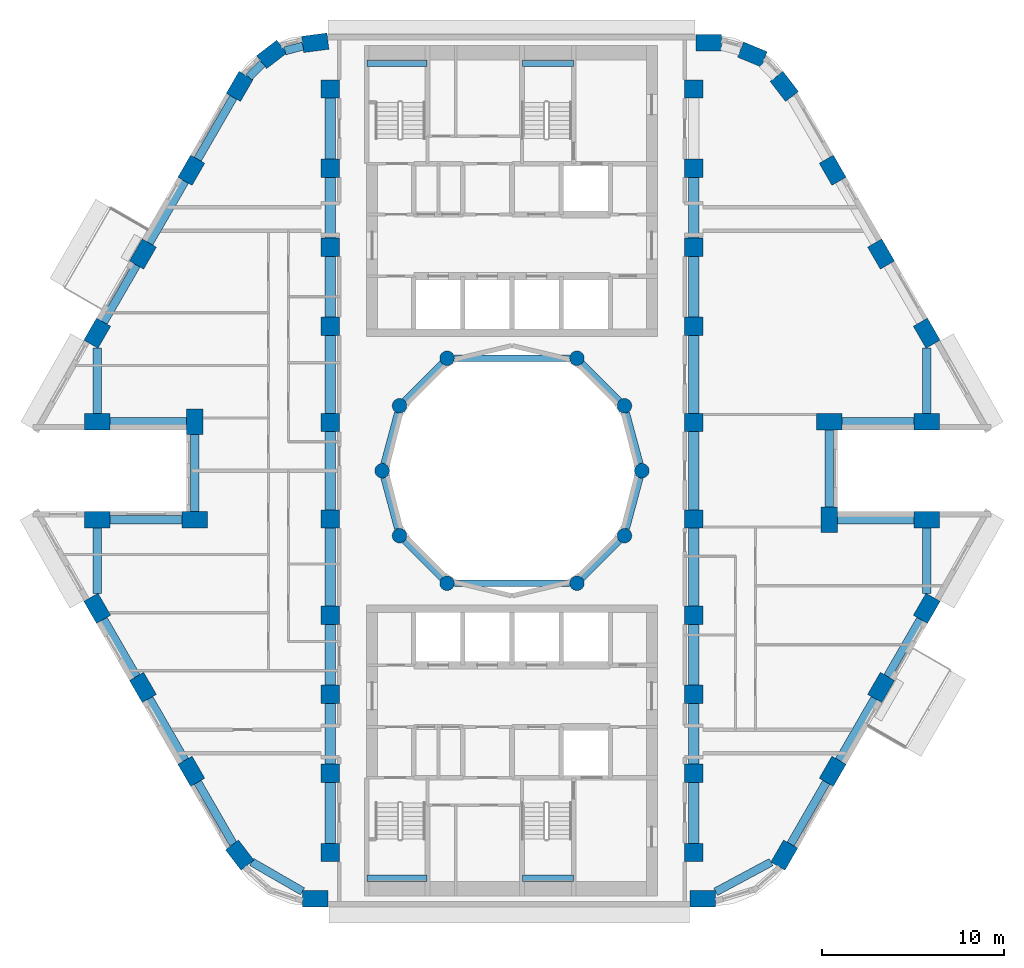
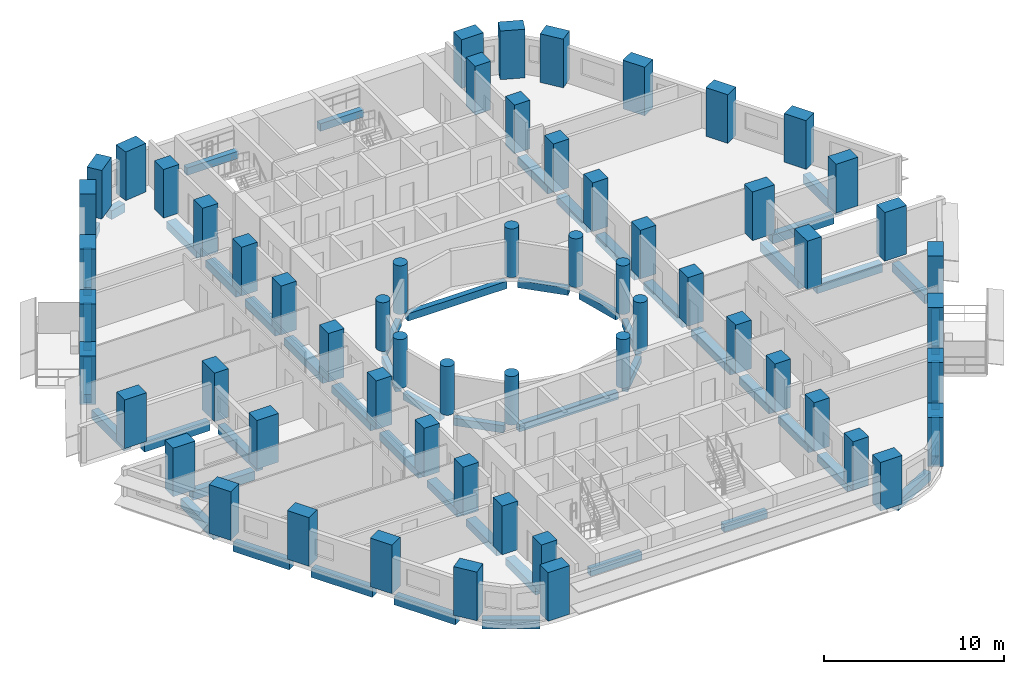
# One storey, part 1 of 14: 60 columns, 54 beams.
"""IFC4 building model written with IfcOpenShell, lengths in metres."""

from ifc_helpers import new_model, si_unit, direction, frame, origin, origin_2d, place, context, subcontext, project, spatial, rectangle, circle, extrude, material, material_profile, profile_set, type_object, element, save


model = new_model("IFC4")

# Units and contexts
model_context = context("Model", 3, precision=1e-05, world=origin(), true_north=direction((0.0, 1.0)))
body_context = subcontext(model_context, "Body", "Model", "MODEL_VIEW")
ifc_project = project(units=[si_unit("LENGTHUNIT", "METRE"), si_unit("AREAUNIT", "SQUARE_METRE"), si_unit("VOLUMEUNIT", "CUBIC_METRE"), si_unit("PLANEANGLEUNIT", "RADIAN"), si_unit("MASSUNIT", "GRAM", prefix="KILO")], contexts=[model_context])

# Site, building, storey
site_placement = place(None, origin())
site = spatial("IfcSite", under=ifc_project, at=site_placement, CompositionType="ELEMENT")
building_placement = place(site_placement, origin())
building = spatial("IfcBuilding", under=site, at=building_placement, Name="Nakaniwa Court", CompositionType="ELEMENT")
storey_placement = place(building_placement, frame((0.0, 0.0, 107.39990234375)))
storey = spatial("IfcBuildingStorey", under=building, at=storey_placement, Name="L28", CompositionType="ELEMENT", Elevation=107.39990234375)

# Columns
ifc_material = material(Name="Concrete C80/100", Category="concrete")
ifc_material_profile_1 = material_profile(ifc_material, rectangle(XDim=1.0, YDim=1.0, at=origin_2d()), Name="Concrete C80/100 RC 1000x1000 spine column")
ifc_profile_set_1 = profile_set([ifc_material_profile_1], Name="Concrete C80/100")
column_type_1 = type_object("IfcColumnType", Name="Concrete C80/100 RC 1000x1000 spine column", PredefinedType="COLUMN", material=ifc_profile_set_1)
for number, where, z_axis, x_axis, name in (
    (1, (90.0, 59.0, 0.0), (0.0, 0.0, 1.0), (0.0, 1.0, 0.0), "COLUMN CS-01"),
    (2, (90.0, 63.35009765625, 0.0), (0.0, 0.0, 1.0), (0.0, 1.0, 0.0), "COLUMN CS-02"),
    (3, (90.0, 67.699951171875, 0.0), (0.0, 0.0, 1.0), (0.0, 1.0, 0.0), "COLUMN CS-03"),
    (4, (90.0, 72.050048828125, 0.0), (0.0, 0.0, 1.0), (0.0, 1.0, 0.0), "COLUMN CS-04"),
    (5, (90.0, 77.35009765625, 0.0), (0.0, 0.0, 1.0), (0.0, 1.0, 0.0), "COLUMN CS-05"),
    (6, (90.0, 82.64990234375, 0.0), (0.0, 0.0, 1.0), (0.0, 1.0, 0.0), "COLUMN CS-06"),
    (7, (90.0, 87.949951171875, 0.0), (0.0, 0.0, 1.0), (0.0, 1.0, 0.0), "COLUMN CS-07"),
    (8, (90.0, 92.300048828125, 0.0), (0.0, 0.0, 1.0), (0.0, 1.0, 0.0), "COLUMN CS-08"),
    (9, (90.0, 96.64990234375, 0.0), (0.0, 0.0, 1.0), (0.0, 1.0, 0.0), "COLUMN CS-09"),
    (10, (90.0, 101.0, 0.0), (0.0, 0.0, 1.0), (0.0, 1.0, 0.0), "COLUMN CS-10"),
    (11, (70.0, 101.0, 0.0), (0.0, 0.0, 1.0), (0.0, -1.0, 0.0), "COLUMN CS-11"),
    (12, (70.0, 96.64990234375, 0.0), (0.0, 0.0, 1.0), (0.0, -1.0, 0.0), "COLUMN CS-12"),
    (13, (70.0, 92.300048828125, 0.0), (0.0, 0.0, 1.0), (0.0, -1.0, 0.0), "COLUMN CS-13"),
    (14, (70.0, 87.949951171875, 0.0), (0.0, 0.0, 1.0), (0.0, -1.0, 0.0), "COLUMN CS-14"),
    (15, (70.0, 82.64990234375, 0.0), (0.0, 0.0, 1.0), (0.0, -1.0, 0.0), "COLUMN CS-15"),
    (16, (70.0, 77.35009765625, 0.0), (0.0, 0.0, 1.0), (0.0, -1.0, 0.0), "COLUMN CS-16"),
    (17, (70.0, 72.050048828125, 0.0), (0.0, 0.0, 1.0), (0.0, -1.0, 0.0), "COLUMN CS-17"),
    (18, (70.0, 67.699951171875, 0.0), (0.0, 0.0, 1.0), (0.0, -1.0, 0.0), "COLUMN CS-18"),
    (19, (70.0, 63.35009765625, 0.0), (0.0, 0.0, 1.0), (0.0, -1.0, 0.0), "COLUMN CS-19"),
    (20, (70.0, 59.0, 0.0), (0.0, 0.0, 1.0), (0.0, -1.0, 0.0), "COLUMN CS-20"),
):
    element("IfcColumn", number, at=place(storey_placement, frame(where, z_axis=z_axis, x_axis=x_axis)), inside=storey, type_object=column_type_1, Name=name, PredefinedType="COLUMN", context=body_context, shape_type="SweptSolid", body=[
        extrude(rectangle(XDim=1.0, YDim=1.0, at=origin_2d()), origin(), (0.0, 0.0, 1.0), 3.300048828125),
    ])
ifc_material_profile_2 = material_profile(ifc_material, rectangle(XDim=1.39990234375, YDim=0.89990234375, at=origin_2d()), Name="Concrete C80/100 RC 1400x900 perimeter column")
ifc_profile_set_2 = profile_set([ifc_material_profile_2], Name="Concrete C80/100")
column_type_2 = type_object("IfcColumnType", Name="Concrete C80/100 RC 1400x900 perimeter column", PredefinedType="COLUMN", material=ifc_profile_set_2)
for number, where, z_axis, x_axis, name in (
    (21, (69.17529296875, 103.550048828125, 0.0), (0.0, 0.0, 1.0), (-0.991442583111, -0.130543496177, 0.0), "COLUMN CO-01"),
    (22, (66.772705078125, 102.91015625, 0.0), (0.0, 0.0, 1.0), (-0.793363965062, -0.608747582288, 0.0), "COLUMN CO-02"),
    (23, (65.017578125, 101.1494140625, 0.0), (0.0, 0.0, 1.0), (-0.5, -0.866025403784, 0.0), "COLUMN CO-03"),
    (24, (62.3544921875, 96.537109375, 0.0), (0.0, 0.0, 1.0), (-0.5, -0.866025403784, 0.0), "COLUMN CO-04"),
    (25, (59.691650390625, 91.9248046875, 0.0), (0.0, 0.0, 1.0), (-0.5, -0.866025403784, 0.0), "COLUMN CO-05"),
    (26, (57.177001953125, 87.569580078125, 0.0), (0.0, 0.0, 1.0), (-0.5, -0.866025403784, 0.0), "COLUMN CO-06"),
    (27, (57.177001953125, 82.699951171875, 0.0), (0.0, 0.0, 1.0), (1.0, 0.0, 0.0), "COLUMN CO-08"),
    (28, (62.54150390625, 82.699951171875, 0.0), (0.0, 0.0, 1.0), (0.0, -1.0, 0.0), "COLUMN CO-09"),
    (29, (62.54150390625, 77.300048828125, 0.0), (0.0, 0.0, 1.0), (-1.0, 0.0, 0.0), "COLUMN CO-10"),
    (30, (57.177001953125, 77.300048828125, 0.0), (0.0, 0.0, 1.0), (-1.0, 0.0, 0.0), "COLUMN CO-11"),
    (31, (57.177001953125, 72.430419921875, 0.0), (0.0, 0.0, 1.0), (0.5, -0.866025403784, 0.0), "COLUMN CO-13"),
    (32, (59.691650390625, 68.0751953125, 0.0), (0.0, 0.0, 1.0), (0.5, -0.866025403784, 0.0), "COLUMN CO-14"),
    (33, (62.3544921875, 63.462890625, 0.0), (0.0, 0.0, 1.0), (0.5, -0.866025403784, 0.0), "COLUMN CO-15"),
    (34, (65.017578125, 58.8505859375, 0.0), (0.0, 0.0, 1.0), (0.608761429009, -0.793353340291, 0.0), "COLUMN CO-16"),
    (35, (69.17529296875, 56.449951171875, 0.0), (0.0, 0.0, 1.0), (1.0, 0.0, 0.0), "COLUMN CO-17"),
    (36, (90.507080078125, 56.449951171875, 0.0), (0.0, 0.0, 1.0), (1.0, 0.0, 0.0), "COLUMN CO-21"),
    (37, (94.982421875, 58.8505859375, 0.0), (0.0, 0.0, 1.0), (0.5, 0.866025403784, 0.0), "COLUMN CO-22"),
    (38, (97.6455078125, 63.462890625, 0.0), (0.0, 0.0, 1.0), (0.5, 0.866025403784, 0.0), "COLUMN CO-23"),
    (39, (100.308349609375, 68.0751953125, 0.0), (0.0, 0.0, 1.0), (0.5, 0.866025403784, 0.0), "COLUMN CO-24"),
    (40, (102.822998046875, 72.430419921875, 0.0), (0.0, 0.0, 1.0), (0.5, 0.866025403784, 0.0), "COLUMN CO-25"),
    (41, (102.822998046875, 77.300048828125, 0.0), (0.0, 0.0, 1.0), (-1.0, 0.0, 0.0), "COLUMN CO-27"),
    (42, (97.45849609375, 77.300048828125, 0.0), (0.0, 0.0, 1.0), (0.0, 1.0, 0.0), "COLUMN CO-28"),
    (43, (97.45849609375, 82.699951171875, 0.0), (0.0, 0.0, 1.0), (1.0, 0.0, 0.0), "COLUMN CO-29"),
    (44, (102.822998046875, 82.699951171875, 0.0), (0.0, 0.0, 1.0), (1.0, 0.0, 0.0), "COLUMN CO-30"),
    (45, (102.822998046875, 87.569580078125, 0.0), (0.0, 0.0, 1.0), (-0.5, 0.866025403784, 0.0), "COLUMN CO-32"),
    (46, (100.308349609375, 91.9248046875, 0.0), (0.0, 0.0, 1.0), (-0.5, 0.866025403784, 0.0), "COLUMN CO-33"),
    (47, (97.6455078125, 96.537109375, 0.0), (0.0, 0.0, 1.0), (-0.5, 0.866025403784, 0.0), "COLUMN CO-34"),
    (48, (94.982421875, 101.1494140625, 0.0), (0.0, 0.0, 1.0), (-0.608761429009, 0.793353340291, 0.0), "COLUMN CO-35"),
    (49, (93.227294921875, 102.91015625, 0.0), (0.0, 0.0, 1.0), (-0.923879532511, 0.382683432365, 0.0), "COLUMN CO-36"),
    (50, (90.82470703125, 103.550048828125, 0.0), (0.0, 0.0, 1.0), (-1.0, 0.0, 0.0), "COLUMN CO-37"),
):
    element("IfcColumn", number, at=place(storey_placement, frame(where, z_axis=z_axis, x_axis=x_axis)), inside=storey, type_object=column_type_2, Name=name, PredefinedType="COLUMN", context=body_context, shape_type="SweptSolid", body=[
        extrude(rectangle(XDim=1.39990234375, YDim=0.89990234375, at=origin_2d()), origin(), (0.0, 0.0, 1.0), 3.300048828125),
    ])
ifc_material_profile_3 = material_profile(ifc_material, circle(Radius=0.39990234375, at=origin_2d()), Name="Concrete C80/100 RC D800 inner ring column")
ifc_profile_set_3 = profile_set([ifc_material_profile_3], Name="Concrete C80/100")
column_type_3 = type_object("IfcColumnType", Name="Concrete C80/100 RC D800 inner ring column", PredefinedType="COLUMN", material=ifc_profile_set_3)
for number, where, z_axis, x_axis, name in (
    (51, (87.14990234375, 80.0, 0.0), (0.0, 0.0, 1.0), (0.0, 1.0, 0.0), "COLUMN CI-01"),
    (52, (86.192138671875, 83.574951171875, 0.0), (0.0, 0.0, 1.0), (-0.5, 0.866025403784, 0.0), "COLUMN CI-02"),
    (53, (83.574951171875, 86.192138671875, 0.0), (0.0, 0.0, 1.0), (-0.866025403784, 0.5, 0.0), "COLUMN CI-03"),
    (54, (76.425048828125, 86.192138671875, 0.0), (0.0, 0.0, 1.0), (-0.866025403784, -0.5, 0.0), "COLUMN CI-05"),
    (55, (73.807861328125, 83.574951171875, 0.0), (0.0, 0.0, 1.0), (-0.5, -0.866025403784, 0.0), "COLUMN CI-06"),
    (56, (72.85009765625, 80.0, 0.0), (0.0, 0.0, 1.0), (0.0, -1.0, 0.0), "COLUMN CI-07"),
    (57, (73.807861328125, 76.425048828125, 0.0), (0.0, 0.0, 1.0), (0.5, -0.866025403784, 0.0), "COLUMN CI-08"),
    (58, (76.425048828125, 73.807861328125, 0.0), (0.0, 0.0, 1.0), (0.866025403784, -0.5, 0.0), "COLUMN CI-09"),
    (59, (83.574951171875, 73.807861328125, 0.0), (0.0, 0.0, 1.0), (0.866025403784, 0.5, 0.0), "COLUMN CI-11"),
    (60, (86.192138671875, 76.425048828125, 0.0), (0.0, 0.0, 1.0), (0.5, 0.866025403784, 0.0), "COLUMN CI-12"),
):
    element("IfcColumn", number, at=place(storey_placement, frame(where, z_axis=z_axis, x_axis=x_axis)), inside=storey, type_object=column_type_3, Name=name, PredefinedType="COLUMN", context=body_context, shape_type="SweptSolid", body=[
        extrude(circle(Radius=0.39990234375, at=origin_2d()), origin(), (0.0, 0.0, 1.0), 3.300048828125),
    ])

# Beams
ifc_material_profile_4 = material_profile(ifc_material, rectangle(XDim=0.35009765625, YDim=0.5, at=origin_2d()), Name="Concrete C80/100 RC 350x500 landing ledge beam")
ifc_profile_set_4 = profile_set([ifc_material_profile_4], Name="Concrete C80/100")
beam_type_1 = type_object("IfcBeamType", Name="Concrete C80/100 RC 350x500 landing ledge beam", PredefinedType="BEAM", material=ifc_profile_set_4)
beam_1_placement = place(storey_placement, frame((72.02490234375, 102.425048828125, 1.2001953125), z_axis=(1.0, 0.0, 0.0), x_axis=(0.0, 1.0, 0.0)))
element("IfcBeam", 61, at=beam_1_placement, inside=storey, type_object=beam_type_1, Name="LANDING LEDGE BEAM", PredefinedType="BEAM", context=body_context, shape_type="SweptSolid", body=[
    extrude(rectangle(XDim=0.35009765625, YDim=0.5, at=origin_2d()), origin(), (0.0, 0.0, 1.0), 3.300048828125),
])
beam_2_placement = place(storey_placement, frame((80.574951171875, 102.425048828125, 1.2001953125), z_axis=(1.0, 0.0, 0.0), x_axis=(0.0, 1.0, 0.0)))
element("IfcBeam", 62, at=beam_2_placement, inside=storey, type_object=beam_type_1, Name="LANDING LEDGE BEAM", PredefinedType="BEAM", context=body_context, shape_type="SweptSolid", body=[
    extrude(rectangle(XDim=0.35009765625, YDim=0.5, at=origin_2d()), origin(), (0.0, 0.0, 1.0), 2.800048828125),
])
beam_3_placement = place(storey_placement, frame((72.02490234375, 57.574951171875, 1.2001953125), z_axis=(1.0, 0.0, 0.0), x_axis=(0.0, 1.0, 0.0)))
element("IfcBeam", 63, at=beam_3_placement, inside=storey, type_object=beam_type_1, Name="LANDING LEDGE BEAM", PredefinedType="BEAM", context=body_context, shape_type="SweptSolid", body=[
    extrude(rectangle(XDim=0.35009765625, YDim=0.5, at=origin_2d()), origin(), (0.0, 0.0, 1.0), 3.300048828125),
])
beam_4_placement = place(storey_placement, frame((80.574951171875, 57.574951171875, 1.2001953125), z_axis=(1.0, 0.0, 0.0), x_axis=(0.0, 1.0, 0.0)))
element("IfcBeam", 64, at=beam_4_placement, inside=storey, type_object=beam_type_1, Name="LANDING LEDGE BEAM", PredefinedType="BEAM", context=body_context, shape_type="SweptSolid", body=[
    extrude(rectangle(XDim=0.35009765625, YDim=0.5, at=origin_2d()), origin(), (0.0, 0.0, 1.0), 2.800048828125),
])
ifc_material_profile_5 = material_profile(ifc_material, rectangle(XDim=0.35009765625, YDim=0.5, at=origin_2d()), Name="Concrete C80/100 RC 350x500 ring beam")
ifc_profile_set_5 = profile_set([ifc_material_profile_5], Name="Concrete C80/100")
beam_type_2 = type_object("IfcBeamType", Name="Concrete C80/100 RC 350x500 ring beam", PredefinedType="BEAM", material=ifc_profile_set_5)
beam_5_placement = place(storey_placement, frame((87.04638671875, 80.386474609375, -0.52490234375), z_axis=(-0.258778150207, 0.965936783115, 0.0), x_axis=(-0.965936783115, -0.258778150207, 0.0)))
element("IfcBeam", 65, at=beam_5_placement, inside=storey, type_object=beam_type_2, Name="RING BEAM", PredefinedType="BEAM", context=body_context, shape_type="SweptSolid", body=[
    extrude(rectangle(XDim=0.35009765625, YDim=0.5, at=origin_2d()), origin(), (0.0, 0.0, 1.0), 2.901123046875),
])
beam_6_placement = place(storey_placement, frame((85.9091796875, 83.85791015625, -0.52490234375), z_axis=(-0.707106781187, 0.707106781187, 0.0), x_axis=(-0.707106781187, -0.707106781187, 0.0)))
element("IfcBeam", 66, at=beam_6_placement, inside=storey, type_object=beam_type_2, Name="RING BEAM", PredefinedType="BEAM", context=body_context, shape_type="SweptSolid", body=[
    extrude(rectangle(XDim=0.35009765625, YDim=0.5, at=origin_2d()), origin(), (0.0, 0.0, 1.0), 2.90087890625),
])
beam_7_placement = place(storey_placement, frame((83.175048828125, 86.192138671875, -0.52490234375), z_axis=(-1.0, 0.0, 0.0), x_axis=(0.0, -1.0, 0.0)))
element("IfcBeam", 67, at=beam_7_placement, inside=storey, type_object=beam_type_2, Name="RING BEAM", PredefinedType="BEAM", context=body_context, shape_type="SweptSolid", body=[
    extrude(rectangle(XDim=0.35009765625, YDim=0.5, at=origin_2d()), origin(), (0.0, 0.0, 1.0), 6.35009765625),
])
beam_8_placement = place(storey_placement, frame((76.14208984375, 85.9091796875, -0.52490234375), z_axis=(-0.707106781187, -0.707106781187, 0.0), x_axis=(0.707106781187, -0.707106781187, 0.0)))
element("IfcBeam", 68, at=beam_8_placement, inside=storey, type_object=beam_type_2, Name="RING BEAM", PredefinedType="BEAM", context=body_context, shape_type="SweptSolid", body=[
    extrude(rectangle(XDim=0.35009765625, YDim=0.5, at=origin_2d()), origin(), (0.0, 0.0, 1.0), 2.90087890625),
])
for number, where, z_axis, x_axis, name in (
    (69, (73.704345703125, 83.188720703125, -0.52490234375), (-0.258778150207, -0.965936783115, 0.0), (0.965936783115, -0.258778150207, 0.0), "RING BEAM"),
    (70, (72.95361328125, 79.613525390625, -0.52490234375), (0.258778150207, -0.965936783115, 0.0), (0.965936783115, 0.258778150207, 0.0), "RING BEAM"),
):
    element("IfcBeam", number, at=place(storey_placement, frame(where, z_axis=z_axis, x_axis=x_axis)), inside=storey, type_object=beam_type_2, Name=name, PredefinedType="BEAM", context=body_context, shape_type="SweptSolid", body=[
        extrude(rectangle(XDim=0.35009765625, YDim=0.5, at=origin_2d()), origin(), (0.0, 0.0, 1.0), 2.901123046875),
    ])
beam_9_placement = place(storey_placement, frame((74.0908203125, 76.14208984375, -0.52490234375), z_axis=(0.707106781187, -0.707106781187, 0.0), x_axis=(0.707106781187, 0.707106781187, 0.0)))
element("IfcBeam", 71, at=beam_9_placement, inside=storey, type_object=beam_type_2, Name="RING BEAM", PredefinedType="BEAM", context=body_context, shape_type="SweptSolid", body=[
    extrude(rectangle(XDim=0.35009765625, YDim=0.5, at=origin_2d()), origin(), (0.0, 0.0, 1.0), 2.90087890625),
])
beam_10_placement = place(storey_placement, frame((76.824951171875, 73.807861328125, -0.52490234375), z_axis=(1.0, 0.0, 0.0), x_axis=(0.0, 1.0, 0.0)))
element("IfcBeam", 72, at=beam_10_placement, inside=storey, type_object=beam_type_2, Name="RING BEAM", PredefinedType="BEAM", context=body_context, shape_type="SweptSolid", body=[
    extrude(rectangle(XDim=0.35009765625, YDim=0.5, at=origin_2d()), origin(), (0.0, 0.0, 1.0), 6.35009765625),
])
beam_11_placement = place(storey_placement, frame((83.85791015625, 74.0908203125, -0.52490234375), z_axis=(0.707106781187, 0.707106781187, 0.0), x_axis=(-0.707106781187, 0.707106781187, 0.0)))
element("IfcBeam", 73, at=beam_11_placement, inside=storey, type_object=beam_type_2, Name="RING BEAM", PredefinedType="BEAM", context=body_context, shape_type="SweptSolid", body=[
    extrude(rectangle(XDim=0.35009765625, YDim=0.5, at=origin_2d()), origin(), (0.0, 0.0, 1.0), 2.90087890625),
])
beam_12_placement = place(storey_placement, frame((86.295654296875, 76.811279296875, -0.52490234375), z_axis=(0.258778150207, 0.965936783115, 0.0), x_axis=(-0.965936783115, 0.258778150207, 0.0)))
element("IfcBeam", 74, at=beam_12_placement, inside=storey, type_object=beam_type_2, Name="RING BEAM", PredefinedType="BEAM", context=body_context, shape_type="SweptSolid", body=[
    extrude(rectangle(XDim=0.35009765625, YDim=0.5, at=origin_2d()), origin(), (0.0, 0.0, 1.0), 2.901123046875),
])
ifc_material_profile_6 = material_profile(ifc_material, rectangle(XDim=0.449951171875, YDim=0.60009765625, at=origin_2d()), Name="Concrete C80/100 RC 450x600 spandrel beam")
ifc_profile_set_6 = profile_set([ifc_material_profile_6], Name="Concrete C80/100")
beam_type_3 = type_object("IfcBeamType", Name="Concrete C80/100 RC 450x600 spandrel beam", PredefinedType="BEAM", material=ifc_profile_set_6)
beam_13_placement = place(storey_placement, frame((68.4931640625, 103.368408203125, -0.574951171875), z_axis=(-0.966290412053, -0.257454538851, 0.0), x_axis=(0.257454538851, -0.966290412053, 0.0)))
element("IfcBeam", 75, at=beam_13_placement, inside=storey, type_object=beam_type_3, Name="SPANDREL BEAM", PredefinedType="BEAM", context=body_context, shape_type="SweptSolid", body=[
    extrude(rectangle(XDim=0.449951171875, YDim=0.60009765625, at=origin_2d()), origin(), (0.0, 0.0, 1.0), 1.022216796875),
])
beam_14_placement = place(storey_placement, frame((66.274169921875, 102.41015625, -0.574951171875), z_axis=(-0.70606530329, -0.708146727374, 0.0), x_axis=(0.708146727374, -0.70606530329, 0.0)))
element("IfcBeam", 76, at=beam_14_placement, inside=storey, type_object=beam_type_3, Name="SPANDREL BEAM", PredefinedType="BEAM", context=body_context, shape_type="SweptSolid", body=[
    extrude(rectangle(XDim=0.449951171875, YDim=0.60009765625, at=origin_2d()), origin(), (0.0, 0.0, 1.0), 1.0556640625),
])
for number, where, z_axis, x_axis, name in (
    (77, (64.66748046875, 100.543212890625, -0.574951171875), (-0.49999161165, -0.866030246746, 0.0), (0.866030246746, -0.49999161165, 0.0), "SPANDREL BEAM"),
    (78, (62.00439453125, 95.930908203125, -0.574951171875), (-0.49999161165, -0.866030246746, 0.0), (0.866030246746, -0.49999161165, 0.0), "SPANDREL BEAM"),
):
    element("IfcBeam", number, at=place(storey_placement, frame(where, z_axis=z_axis, x_axis=x_axis)), inside=storey, type_object=beam_type_3, Name=name, PredefinedType="BEAM", context=body_context, shape_type="SweptSolid", body=[
        extrude(rectangle(XDim=0.449951171875, YDim=0.60009765625, at=origin_2d()), origin(), (0.0, 0.0, 1.0), 3.92578125),
    ])
beam_15_placement = place(storey_placement, frame((59.341552734375, 91.318603515625, -0.574951171875), z_axis=(-0.499988394233, -0.866032104273, 0.0), x_axis=(0.866032104273, -0.499988394233, 0.0)))
element("IfcBeam", 79, at=beam_15_placement, inside=storey, type_object=beam_type_3, Name="SPANDREL BEAM", PredefinedType="BEAM", context=body_context, shape_type="SweptSolid", body=[
    extrude(rectangle(XDim=0.449951171875, YDim=0.60009765625, at=origin_2d()), origin(), (0.0, 0.0, 1.0), 3.62890625),
])
beam_16_placement = place(storey_placement, frame((57.177001953125, 86.761474609375, -0.574951171875), z_axis=(0.0, -1.0, 0.0), x_axis=(1.0, 0.0, 0.0)))
element("IfcBeam", 80, at=beam_16_placement, inside=storey, type_object=beam_type_3, Name="SPANDREL BEAM", PredefinedType="BEAM", context=body_context, shape_type="SweptSolid", body=[
    extrude(rectangle(XDim=0.449951171875, YDim=0.60009765625, at=origin_2d()), origin(), (0.0, 0.0, 1.0), 3.611572265625),
])
beam_17_placement = place(storey_placement, frame((57.877197265625, 82.699951171875, -0.574951171875), z_axis=(1.0, 0.0, 0.0), x_axis=(0.0, 1.0, 0.0)))
element("IfcBeam", 81, at=beam_17_placement, inside=storey, type_object=beam_type_3, Name="SPANDREL BEAM", PredefinedType="BEAM", context=body_context, shape_type="SweptSolid", body=[
    extrude(rectangle(XDim=0.449951171875, YDim=0.60009765625, at=origin_2d()), origin(), (0.0, 0.0, 1.0), 4.21435546875),
])
beam_18_placement = place(storey_placement, frame((62.54150390625, 82.0, -0.574951171875), z_axis=(0.0, -1.0, 0.0), x_axis=(1.0, 0.0, 0.0)))
element("IfcBeam", 82, at=beam_18_placement, inside=storey, type_object=beam_type_3, Name="SPANDREL BEAM", PredefinedType="BEAM", context=body_context, shape_type="SweptSolid", body=[
    extrude(rectangle(XDim=0.449951171875, YDim=0.60009765625, at=origin_2d()), origin(), (0.0, 0.0, 1.0), 4.25),
])
beam_19_placement = place(storey_placement, frame((61.841552734375, 77.300048828125, -0.574951171875), z_axis=(-1.0, 0.0, 0.0), x_axis=(0.0, -1.0, 0.0)))
element("IfcBeam", 83, at=beam_19_placement, inside=storey, type_object=beam_type_3, Name="SPANDREL BEAM", PredefinedType="BEAM", context=body_context, shape_type="SweptSolid", body=[
    extrude(rectangle(XDim=0.449951171875, YDim=0.60009765625, at=origin_2d()), origin(), (0.0, 0.0, 1.0), 3.96435546875),
])
beam_20_placement = place(storey_placement, frame((57.177001953125, 76.85009765625, -0.574951171875), z_axis=(0.0, -1.0, 0.0), x_axis=(1.0, 0.0, 0.0)))
element("IfcBeam", 84, at=beam_20_placement, inside=storey, type_object=beam_type_3, Name="SPANDREL BEAM", PredefinedType="BEAM", context=body_context, shape_type="SweptSolid", body=[
    extrude(rectangle(XDim=0.449951171875, YDim=0.60009765625, at=origin_2d()), origin(), (0.0, 0.0, 1.0), 3.611572265625),
])
beam_21_placement = place(storey_placement, frame((57.527099609375, 71.82421875, -0.574951171875), z_axis=(0.499988394233, -0.866032104273, 0.0), x_axis=(0.866032104273, 0.499988394233, 0.0)))
element("IfcBeam", 85, at=beam_21_placement, inside=storey, type_object=beam_type_3, Name="SPANDREL BEAM", PredefinedType="BEAM", context=body_context, shape_type="SweptSolid", body=[
    extrude(rectangle(XDim=0.449951171875, YDim=0.60009765625, at=origin_2d()), origin(), (0.0, 0.0, 1.0), 3.62890625),
])
beam_22_placement = place(storey_placement, frame((60.04150390625, 67.468994140625, -0.574951171875), z_axis=(0.49999161165, -0.866030246746, 0.0), x_axis=(0.866030246746, 0.49999161165, 0.0)))
element("IfcBeam", 86, at=beam_22_placement, inside=storey, type_object=beam_type_3, Name="SPANDREL BEAM", PredefinedType="BEAM", context=body_context, shape_type="SweptSolid", body=[
    extrude(rectangle(XDim=0.449951171875, YDim=0.60009765625, at=origin_2d()), origin(), (0.0, 0.0, 1.0), 3.92578125),
])
beam_23_placement = place(storey_placement, frame((62.70458984375, 62.856689453125, -0.574951171875), z_axis=(0.499997407846, -0.86602690036, 0.0), x_axis=(0.86602690036, 0.499997407846, 0.0)))
element("IfcBeam", 87, at=beam_23_placement, inside=storey, type_object=beam_type_3, Name="SPANDREL BEAM", PredefinedType="BEAM", context=body_context, shape_type="SweptSolid", body=[
    extrude(rectangle(XDim=0.449951171875, YDim=0.60009765625, at=origin_2d()), origin(), (0.0, 0.0, 1.0), 3.919921875),
])
beam_24_placement = place(storey_placement, frame((65.673583984375, 58.4716796875, -0.574951171875), z_axis=(0.866014675542, -0.5000185814, 0.0), x_axis=(0.5000185814, 0.866014675542, 0.0)))
element("IfcBeam", 88, at=beam_24_placement, inside=storey, type_object=beam_type_3, Name="SPANDREL BEAM", PredefinedType="BEAM", context=body_context, shape_type="SweptSolid", body=[
    extrude(rectangle(XDim=0.449951171875, YDim=0.60009765625, at=origin_2d()), origin(), (0.0, 0.0, 1.0), 3.2353515625),
])
beam_25_placement = place(storey_placement, frame((91.20703125, 56.825439453125, -0.574951171875), z_axis=(0.881233381314, 0.472681423009, 0.0), x_axis=(-0.472681423009, 0.881233381314, 0.0)))
element("IfcBeam", 89, at=beam_25_placement, inside=storey, type_object=beam_type_3, Name="SPANDREL BEAM", PredefinedType="BEAM", context=body_context, shape_type="SweptSolid", body=[
    extrude(rectangle(XDim=0.449951171875, YDim=0.60009765625, at=origin_2d()), origin(), (0.0, 0.0, 1.0), 3.46044921875),
])
for number, where, z_axis, x_axis, name in (
    (90, (95.33251953125, 59.456787109375, -0.574951171875), (0.49999161165, 0.866030246746, 0.0), (-0.866030246746, 0.49999161165, 0.0), "SPANDREL BEAM"),
    (91, (97.99560546875, 64.069091796875, -0.574951171875), (0.49999161165, 0.866030246746, 0.0), (-0.866030246746, 0.49999161165, 0.0), "SPANDREL BEAM"),
):
    element("IfcBeam", number, at=place(storey_placement, frame(where, z_axis=z_axis, x_axis=x_axis)), inside=storey, type_object=beam_type_3, Name=name, PredefinedType="BEAM", context=body_context, shape_type="SweptSolid", body=[
        extrude(rectangle(XDim=0.449951171875, YDim=0.60009765625, at=origin_2d()), origin(), (0.0, 0.0, 1.0), 3.92578125),
    ])
beam_26_placement = place(storey_placement, frame((100.658447265625, 68.681396484375, -0.574951171875), z_axis=(0.499988394233, 0.866032104273, 0.0), x_axis=(-0.866032104273, 0.499988394233, 0.0)))
element("IfcBeam", 92, at=beam_26_placement, inside=storey, type_object=beam_type_3, Name="SPANDREL BEAM", PredefinedType="BEAM", context=body_context, shape_type="SweptSolid", body=[
    extrude(rectangle(XDim=0.449951171875, YDim=0.60009765625, at=origin_2d()), origin(), (0.0, 0.0, 1.0), 3.62890625),
])
beam_27_placement = place(storey_placement, frame((102.822998046875, 73.238525390625, -0.574951171875), z_axis=(0.0, 1.0, 0.0), x_axis=(-1.0, 0.0, 0.0)))
element("IfcBeam", 93, at=beam_27_placement, inside=storey, type_object=beam_type_3, Name="SPANDREL BEAM", PredefinedType="BEAM", context=body_context, shape_type="SweptSolid", body=[
    extrude(rectangle(XDim=0.449951171875, YDim=0.60009765625, at=origin_2d()), origin(), (0.0, 0.0, 1.0), 3.611572265625),
])
beam_28_placement = place(storey_placement, frame((102.122802734375, 77.300048828125, -0.574951171875), z_axis=(-1.0, 0.0, 0.0), x_axis=(0.0, -1.0, 0.0)))
element("IfcBeam", 94, at=beam_28_placement, inside=storey, type_object=beam_type_3, Name="SPANDREL BEAM", PredefinedType="BEAM", context=body_context, shape_type="SweptSolid", body=[
    extrude(rectangle(XDim=0.449951171875, YDim=0.60009765625, at=origin_2d()), origin(), (0.0, 0.0, 1.0), 4.21435546875),
])
beam_29_placement = place(storey_placement, frame((97.45849609375, 78.0, -0.574951171875), z_axis=(0.0, 1.0, 0.0), x_axis=(-1.0, 0.0, 0.0)))
element("IfcBeam", 95, at=beam_29_placement, inside=storey, type_object=beam_type_3, Name="SPANDREL BEAM", PredefinedType="BEAM", context=body_context, shape_type="SweptSolid", body=[
    extrude(rectangle(XDim=0.449951171875, YDim=0.60009765625, at=origin_2d()), origin(), (0.0, 0.0, 1.0), 4.25),
])
beam_30_placement = place(storey_placement, frame((98.158447265625, 82.699951171875, -0.574951171875), z_axis=(1.0, 0.0, 0.0), x_axis=(0.0, 1.0, 0.0)))
element("IfcBeam", 96, at=beam_30_placement, inside=storey, type_object=beam_type_3, Name="SPANDREL BEAM", PredefinedType="BEAM", context=body_context, shape_type="SweptSolid", body=[
    extrude(rectangle(XDim=0.449951171875, YDim=0.60009765625, at=origin_2d()), origin(), (0.0, 0.0, 1.0), 3.96435546875),
])
beam_31_placement = place(storey_placement, frame((102.822998046875, 83.14990234375, -0.574951171875), z_axis=(0.0, 1.0, 0.0), x_axis=(-1.0, 0.0, 0.0)))
element("IfcBeam", 97, at=beam_31_placement, inside=storey, type_object=beam_type_3, Name="SPANDREL BEAM", PredefinedType="BEAM", context=body_context, shape_type="SweptSolid", body=[
    extrude(rectangle(XDim=0.449951171875, YDim=0.60009765625, at=origin_2d()), origin(), (0.0, 0.0, 1.0), 3.611572265625),
])
ifc_material_profile_7 = material_profile(ifc_material, rectangle(XDim=0.60009765625, YDim=0.5, at=origin_2d()), Name="Concrete C80/100 RC 600x500 ring beam")
ifc_profile_set_7 = profile_set([ifc_material_profile_7], Name="Concrete C80/100")
beam_type_4 = type_object("IfcBeamType", Name="Concrete C80/100 RC 600x500 ring beam", PredefinedType="BEAM", material=ifc_profile_set_7)
beam_32_placement = place(storey_placement, frame((90.0, 59.5, -0.52490234375), z_axis=(0.0, 1.0, 0.0), x_axis=(-1.0, 0.0, 0.0)))
element("IfcBeam", 98, at=beam_32_placement, inside=storey, type_object=beam_type_4, Name="RING BEAM", PredefinedType="BEAM", context=body_context, shape_type="SweptSolid", body=[
    extrude(rectangle(XDim=0.60009765625, YDim=0.5, at=origin_2d()), origin(), (0.0, 0.0, 1.0), 3.35009765625),
])
beam_33_placement = place(storey_placement, frame((90.0, 63.85009765625, -0.52490234375), z_axis=(0.0, 1.0, 0.0), x_axis=(-1.0, 0.0, 0.0)))
element("IfcBeam", 99, at=beam_33_placement, inside=storey, type_object=beam_type_4, Name="RING BEAM", PredefinedType="BEAM", context=body_context, shape_type="SweptSolid", body=[
    extrude(rectangle(XDim=0.60009765625, YDim=0.5, at=origin_2d()), origin(), (0.0, 0.0, 1.0), 3.349853515625),
])
beam_34_placement = place(storey_placement, frame((90.0, 68.199951171875, -0.52490234375), z_axis=(0.0, 1.0, 0.0), x_axis=(-1.0, 0.0, 0.0)))
element("IfcBeam", 100, at=beam_34_placement, inside=storey, type_object=beam_type_4, Name="RING BEAM", PredefinedType="BEAM", context=body_context, shape_type="SweptSolid", body=[
    extrude(rectangle(XDim=0.60009765625, YDim=0.5, at=origin_2d()), origin(), (0.0, 0.0, 1.0), 3.35009765625),
])
beam_35_placement = place(storey_placement, frame((90.0, 72.550048828125, -0.52490234375), z_axis=(0.0, 1.0, 0.0), x_axis=(-1.0, 0.0, 0.0)))
element("IfcBeam", 101, at=beam_35_placement, inside=storey, type_object=beam_type_4, Name="RING BEAM", PredefinedType="BEAM", context=body_context, shape_type="SweptSolid", body=[
    extrude(rectangle(XDim=0.60009765625, YDim=0.5, at=origin_2d()), origin(), (0.0, 0.0, 1.0), 4.300048828125),
])
beam_36_placement = place(storey_placement, frame((90.0, 77.85009765625, -0.52490234375), z_axis=(0.0, 1.0, 0.0), x_axis=(-1.0, 0.0, 0.0)))
element("IfcBeam", 102, at=beam_36_placement, inside=storey, type_object=beam_type_4, Name="RING BEAM", PredefinedType="BEAM", context=body_context, shape_type="SweptSolid", body=[
    extrude(rectangle(XDim=0.60009765625, YDim=0.5, at=origin_2d()), origin(), (0.0, 0.0, 1.0), 4.2998046875),
])
beam_37_placement = place(storey_placement, frame((90.0, 83.14990234375, -0.52490234375), z_axis=(0.0, 1.0, 0.0), x_axis=(-1.0, 0.0, 0.0)))
element("IfcBeam", 103, at=beam_37_placement, inside=storey, type_object=beam_type_4, Name="RING BEAM", PredefinedType="BEAM", context=body_context, shape_type="SweptSolid", body=[
    extrude(rectangle(XDim=0.60009765625, YDim=0.5, at=origin_2d()), origin(), (0.0, 0.0, 1.0), 4.300048828125),
])
beam_38_placement = place(storey_placement, frame((90.0, 88.449951171875, -0.52490234375), z_axis=(0.0, 1.0, 0.0), x_axis=(-1.0, 0.0, 0.0)))
element("IfcBeam", 104, at=beam_38_placement, inside=storey, type_object=beam_type_4, Name="RING BEAM", PredefinedType="BEAM", context=body_context, shape_type="SweptSolid", body=[
    extrude(rectangle(XDim=0.60009765625, YDim=0.5, at=origin_2d()), origin(), (0.0, 0.0, 1.0), 3.35009765625),
])
beam_39_placement = place(storey_placement, frame((90.0, 92.800048828125, -0.52490234375), z_axis=(0.0, 1.0, 0.0), x_axis=(-1.0, 0.0, 0.0)))
element("IfcBeam", 105, at=beam_39_placement, inside=storey, type_object=beam_type_4, Name="RING BEAM", PredefinedType="BEAM", context=body_context, shape_type="SweptSolid", body=[
    extrude(rectangle(XDim=0.60009765625, YDim=0.5, at=origin_2d()), origin(), (0.0, 0.0, 1.0), 3.349853515625),
])
beam_40_placement = place(storey_placement, frame((70.0, 100.5, -0.52490234375), z_axis=(0.0, -1.0, 0.0), x_axis=(1.0, 0.0, 0.0)))
element("IfcBeam", 106, at=beam_40_placement, inside=storey, type_object=beam_type_4, Name="RING BEAM", PredefinedType="BEAM", context=body_context, shape_type="SweptSolid", body=[
    extrude(rectangle(XDim=0.60009765625, YDim=0.5, at=origin_2d()), origin(), (0.0, 0.0, 1.0), 3.35009765625),
])
beam_41_placement = place(storey_placement, frame((70.0, 96.14990234375, -0.52490234375), z_axis=(0.0, -1.0, 0.0), x_axis=(1.0, 0.0, 0.0)))
element("IfcBeam", 107, at=beam_41_placement, inside=storey, type_object=beam_type_4, Name="RING BEAM", PredefinedType="BEAM", context=body_context, shape_type="SweptSolid", body=[
    extrude(rectangle(XDim=0.60009765625, YDim=0.5, at=origin_2d()), origin(), (0.0, 0.0, 1.0), 3.349853515625),
])
beam_42_placement = place(storey_placement, frame((70.0, 91.800048828125, -0.52490234375), z_axis=(0.0, -1.0, 0.0), x_axis=(1.0, 0.0, 0.0)))
element("IfcBeam", 108, at=beam_42_placement, inside=storey, type_object=beam_type_4, Name="RING BEAM", PredefinedType="BEAM", context=body_context, shape_type="SweptSolid", body=[
    extrude(rectangle(XDim=0.60009765625, YDim=0.5, at=origin_2d()), origin(), (0.0, 0.0, 1.0), 3.35009765625),
])
beam_43_placement = place(storey_placement, frame((70.0, 87.449951171875, -0.52490234375), z_axis=(0.0, -1.0, 0.0), x_axis=(1.0, 0.0, 0.0)))
element("IfcBeam", 109, at=beam_43_placement, inside=storey, type_object=beam_type_4, Name="RING BEAM", PredefinedType="BEAM", context=body_context, shape_type="SweptSolid", body=[
    extrude(rectangle(XDim=0.60009765625, YDim=0.5, at=origin_2d()), origin(), (0.0, 0.0, 1.0), 4.300048828125),
])
beam_44_placement = place(storey_placement, frame((70.0, 82.14990234375, -0.52490234375), z_axis=(0.0, -1.0, 0.0), x_axis=(1.0, 0.0, 0.0)))
element("IfcBeam", 110, at=beam_44_placement, inside=storey, type_object=beam_type_4, Name="RING BEAM", PredefinedType="BEAM", context=body_context, shape_type="SweptSolid", body=[
    extrude(rectangle(XDim=0.60009765625, YDim=0.5, at=origin_2d()), origin(), (0.0, 0.0, 1.0), 4.2998046875),
])
beam_45_placement = place(storey_placement, frame((70.0, 76.85009765625, -0.52490234375), z_axis=(0.0, -1.0, 0.0), x_axis=(1.0, 0.0, 0.0)))
element("IfcBeam", 111, at=beam_45_placement, inside=storey, type_object=beam_type_4, Name="RING BEAM", PredefinedType="BEAM", context=body_context, shape_type="SweptSolid", body=[
    extrude(rectangle(XDim=0.60009765625, YDim=0.5, at=origin_2d()), origin(), (0.0, 0.0, 1.0), 4.300048828125),
])
beam_46_placement = place(storey_placement, frame((70.0, 71.550048828125, -0.52490234375), z_axis=(0.0, -1.0, 0.0), x_axis=(1.0, 0.0, 0.0)))
element("IfcBeam", 112, at=beam_46_placement, inside=storey, type_object=beam_type_4, Name="RING BEAM", PredefinedType="BEAM", context=body_context, shape_type="SweptSolid", body=[
    extrude(rectangle(XDim=0.60009765625, YDim=0.5, at=origin_2d()), origin(), (0.0, 0.0, 1.0), 3.35009765625),
])
beam_47_placement = place(storey_placement, frame((70.0, 67.199951171875, -0.52490234375), z_axis=(0.0, -1.0, 0.0), x_axis=(1.0, 0.0, 0.0)))
element("IfcBeam", 113, at=beam_47_placement, inside=storey, type_object=beam_type_4, Name="RING BEAM", PredefinedType="BEAM", context=body_context, shape_type="SweptSolid", body=[
    extrude(rectangle(XDim=0.60009765625, YDim=0.5, at=origin_2d()), origin(), (0.0, 0.0, 1.0), 3.349853515625),
])
beam_48_placement = place(storey_placement, frame((70.0, 62.85009765625, -0.52490234375), z_axis=(0.0, -1.0, 0.0), x_axis=(1.0, 0.0, 0.0)))
element("IfcBeam", 114, at=beam_48_placement, inside=storey, type_object=beam_type_4, Name="RING BEAM", PredefinedType="BEAM", context=body_context, shape_type="SweptSolid", body=[
    extrude(rectangle(XDim=0.60009765625, YDim=0.5, at=origin_2d()), origin(), (0.0, 0.0, 1.0), 3.35009765625),
])

save(model, "model.ifc")
